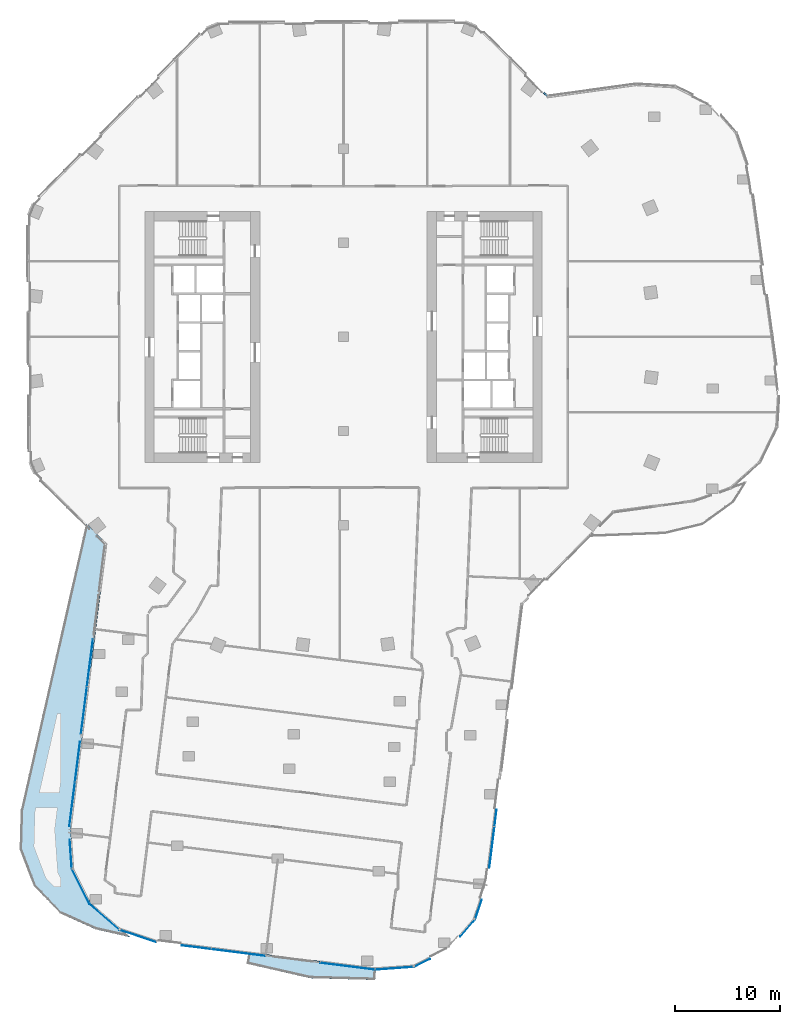
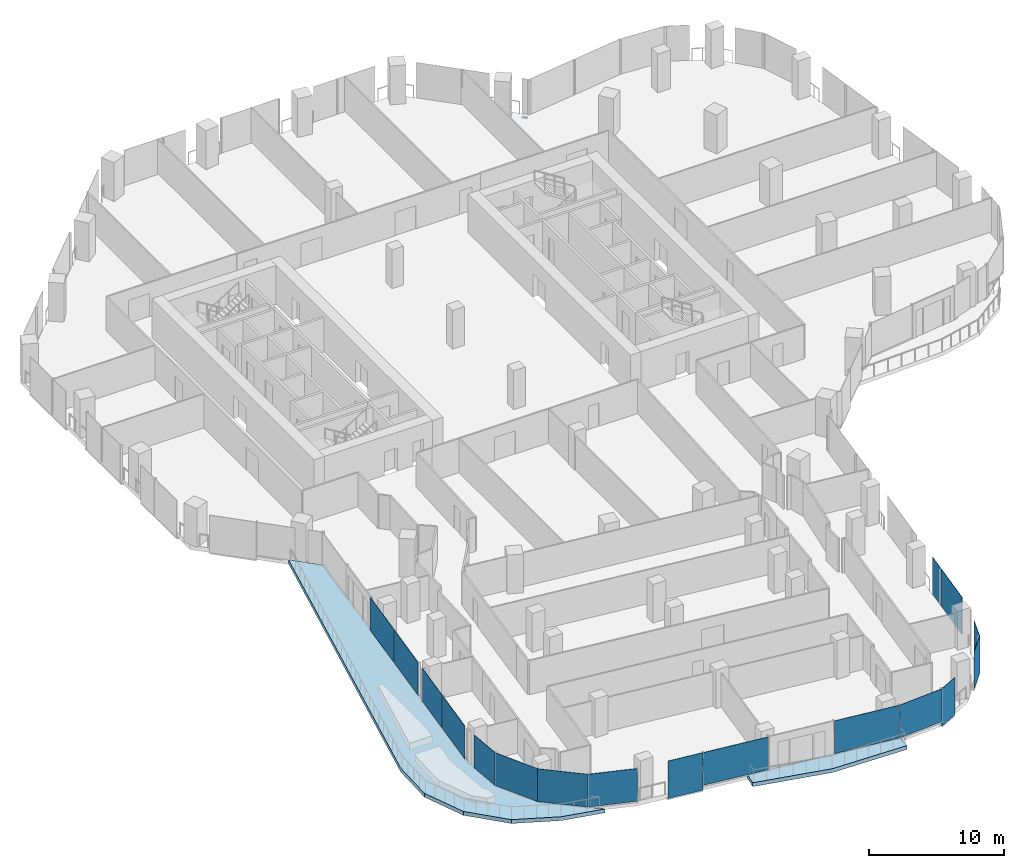
# One storey, part 13 of 29: 17 plates, 2 slabs, 1 member, 12 elements without a shape of their own.
"""IFC4 building model written with IfcOpenShell, lengths in metres."""

from ifc_helpers import new_model, si_unit, direction, frame, origin, origin_2d, place, context, subcontext, project, spatial, polyline, rectangle, outline, extrude, material, layer, layer_set, material_profile, profile_set, type_object, element, aggregate, save


model = new_model("IFC4")

# Units and contexts
model_context = context("Model", 3, precision=1e-05, world=origin(), true_north=direction((0.0, 1.0)))
body_context = subcontext(model_context, "Body", "Model", "MODEL_VIEW")
ifc_project = project(units=[si_unit("LENGTHUNIT", "METRE"), si_unit("AREAUNIT", "SQUARE_METRE"), si_unit("VOLUMEUNIT", "CUBIC_METRE"), si_unit("PLANEANGLEUNIT", "RADIAN"), si_unit("MASSUNIT", "GRAM", prefix="KILO")], contexts=[model_context])

# Site, building, storey
site_placement = place(None, origin())
site = spatial("IfcSite", under=ifc_project, at=site_placement, CompositionType="ELEMENT")
building_placement = place(site_placement, origin())
building = spatial("IfcBuilding", under=site, at=building_placement, Name="Orlundy Tower", CompositionType="ELEMENT")
storey_placement = place(building_placement, frame((0.0, 0.0, 188.60009765625)))
storey = spatial("IfcBuildingStorey", under=building, at=storey_placement, Name="L49", CompositionType="ELEMENT", Elevation=188.60009765625)

# Curtain wall, member
ifc_material_1 = material(Name="Aluminium bronze anodised", Category="aluminium")
curtain_wall_type = type_object("IfcCurtainWallType", Name="CW1 wall", PredefinedType="NOTDEFINED", material=ifc_material_1)
curtain_wall_1_placement = place(storey_placement, origin())
curtain_wall_1 = element("IfcCurtainWall", 1, at=curtain_wall_1_placement, inside=storey, type_object=curtain_wall_type, Name="CW1 run 05", PredefinedType="NOTDEFINED")
ifc_material_2 = material(Name="Aluminium bronze anodised", Category="aluminium")
ifc_material_profile = material_profile(ifc_material_2, rectangle(XDim=0.179931640625, YDim=0.1201171875, at=origin_2d()), Name="CW1 transom 180x120")
ifc_profile_set = profile_set([ifc_material_profile], Name="Aluminium bronze anodised")
member_type = type_object("IfcMemberType", Name="CW1 transom 180x120", PredefinedType="USERDEFINED", material=ifc_profile_set)
member_placement = place(storey_placement, frame((19.154296875, 23.3759765625, -0.360107421875), z_axis=(0.711057741215, -0.703133620771, 0.0), x_axis=(0.703133620771, 0.711057741215, 0.0)))
member = element("IfcMember", 2, at=member_placement, type_object=member_type, Name="CW1 transom", ObjectType="TRANSOM", PredefinedType="USERDEFINED", context=body_context, shape_type="SweptSolid", body=[
    extrude(rectangle(XDim=0.179931640625, YDim=0.1201171875, at=origin_2d()), origin(), (0.0, 0.0, 1.0), 0.462158203125),
])
aggregate(curtain_wall_1, [member])

# Curtain wall, plates
curtain_wall_2_placement = place(storey_placement, origin())
curtain_wall_2 = element("IfcCurtainWall", 3, at=curtain_wall_2_placement, inside=storey, type_object=curtain_wall_type, Name="CW1 run 00", PredefinedType="NOTDEFINED")
ifc_material_3 = material(Name="Tinted glass", Category="glass")
ifc_layer_1 = layer(ifc_material_3, 0.031982421875)
ifc_layer_set_1 = layer_set([ifc_layer_1], Name="CW1 glass panel 32")
plate_type = type_object("IfcPlateType", Name="CW1 glass panel 32", PredefinedType="CURTAIN_PANEL", material=ifc_layer_set_1)
plate_1_placement = place(storey_placement, frame((-25.94189453125, -44.684814453125, 0.119873046875), z_axis=(0.0, 0.0, 1.0), x_axis=(0.124763360518, 0.992186526754, 0.0)))
plate_1 = element("IfcPlate", 4, at=plate_1_placement, type_object=plate_type, Name="CW1 panel", PredefinedType="CURTAIN_PANEL", context=body_context, shape_type="SweptSolid", body=[
    extrude(rectangle(XDim=4.27197265625, YDim=0.031982421875, at=origin_2d()), origin(), (0.0, 0.0, 1.0), 2.9599609375),
])
plate_2_placement = place(storey_placement, frame((-25.4306640625, -40.618896484375, 0.119873046875), z_axis=(0.0, 0.0, 1.0), x_axis=(0.124763360518, 0.992186526754, 0.0)))
plate_2 = element("IfcPlate", 5, at=plate_2_placement, type_object=plate_type, Name="CW1 panel", PredefinedType="CURTAIN_PANEL", context=body_context, shape_type="SweptSolid", body=[
    extrude(rectangle(XDim=3.823974609375, YDim=0.031982421875, at=origin_2d()), origin(), (0.0, 0.0, 1.0), 2.9599609375),
])
plate_3_placement = place(storey_placement, frame((-24.8134765625, -35.71142578125, 0.119873046875), z_axis=(0.0, 0.0, 1.0), x_axis=(0.124763360518, 0.992186526754, 0.0)))
plate_3 = element("IfcPlate", 6, at=plate_3_placement, type_object=plate_type, Name="CW1 panel", PredefinedType="CURTAIN_PANEL", context=body_context, shape_type="SweptSolid", body=[
    extrude(rectangle(XDim=4.53857421875, YDim=0.031982421875, at=origin_2d()), origin(), (0.0, 0.0, 1.0), 2.9599609375),
])
plate_4_placement = place(storey_placement, frame((-24.240966796875, -31.15869140625, 0.119873046875), z_axis=(0.0, 0.0, 1.0), x_axis=(0.124763360518, 0.992186526754, 0.0)))
plate_4 = element("IfcPlate", 7, at=plate_4_placement, type_object=plate_type, Name="CW1 panel", PredefinedType="CURTAIN_PANEL", context=body_context, shape_type="SweptSolid", body=[
    extrude(rectangle(XDim=4.53857421875, YDim=0.031982421875, at=origin_2d()), origin(), (0.0, 0.0, 1.0), 2.9599609375),
])
aggregate(curtain_wall_2, [plate_1, plate_2, plate_3, plate_4])

curtain_wall_3_placement = place(storey_placement, origin())
curtain_wall_3 = element("IfcCurtainWall", 8, at=curtain_wall_3_placement, inside=storey, type_object=curtain_wall_type, Name="CW1 run 018", PredefinedType="NOTDEFINED")
plate_5_placement = place(storey_placement, frame((14.5380859375, -46.00439453125, -0.300048828125), z_axis=(0.0, 0.0, 1.0), x_axis=(-0.124742379758, -0.992189164773, 0.0)))
plate_5 = element("IfcPlate", 9, at=plate_5_placement, type_object=plate_type, Name="CW1 panel", PredefinedType="CURTAIN_PANEL", context=body_context, shape_type="SweptSolid", body=[
    extrude(rectangle(XDim=1.572998046875, YDim=0.031982421875, at=origin_2d()), origin(), (0.0, 0.0, 1.0), 3.3798828125),
])
plate_6_placement = place(storey_placement, frame((14.185791015625, -48.80712890625, -0.300048828125), z_axis=(0.0, 0.0, 1.0), x_axis=(-0.124742379758, -0.992189164773, 0.0)))
plate_6 = element("IfcPlate", 10, at=plate_6_placement, type_object=plate_type, Name="CW1 panel", PredefinedType="CURTAIN_PANEL", context=body_context, shape_type="SweptSolid", body=[
    extrude(rectangle(XDim=3.976318359375, YDim=0.031982421875, at=origin_2d()), origin(), (0.0, 0.0, 1.0), 3.3798828125),
])
aggregate(curtain_wall_3, [plate_5, plate_6])

# Curtain wall, plate
curtain_wall_4_placement = place(storey_placement, origin())
curtain_wall_4 = element("IfcCurtainWall", 11, at=curtain_wall_4_placement, inside=storey, type_object=curtain_wall_type, Name="CW1 run 019", PredefinedType="NOTDEFINED")
plate_7_placement = place(storey_placement, frame((12.895751953125, -54.756103515625, -0.300048828125), z_axis=(0.0, 0.0, 1.0), x_axis=(-0.315904020179, -0.948791151958, 0.0)))
plate_7 = element("IfcPlate", 12, at=plate_7_placement, type_object=plate_type, Name="CW1 panel", PredefinedType="CURTAIN_PANEL", context=body_context, shape_type="SweptSolid", body=[
    extrude(rectangle(XDim=1.997802734375, YDim=0.031982421875, at=origin_2d()), origin(), (0.0, 0.0, 1.0), 3.3798828125),
])
aggregate(curtain_wall_4, [plate_7])

curtain_wall_5_placement = place(storey_placement, origin())
curtain_wall_5 = element("IfcCurtainWall", 13, at=curtain_wall_5_placement, inside=storey, type_object=curtain_wall_type, Name="CW1 run 020", PredefinedType="NOTDEFINED")
plate_8_placement = place(storey_placement, frame((11.870849609375, -56.522216796875, -0.300048828125), z_axis=(0.0, 0.0, 1.0), x_axis=(-0.655002428568, -0.755626772005, 0.0)))
plate_8 = element("IfcPlate", 14, at=plate_8_placement, type_object=plate_type, Name="CW1 panel", PredefinedType="CURTAIN_PANEL", context=body_context, shape_type="SweptSolid", body=[
    extrude(rectangle(XDim=2.16650390625, YDim=0.031982421875, at=origin_2d()), origin(), (0.0, 0.0, 1.0), 3.3798828125),
])
aggregate(curtain_wall_5, [plate_8])

curtain_wall_6_placement = place(storey_placement, origin())
curtain_wall_6 = element("IfcCurtainWall", 15, at=curtain_wall_6_placement, inside=storey, type_object=curtain_wall_type, Name="CW1 run 021", PredefinedType="NOTDEFINED")
plate_9_placement = place(storey_placement, frame((7.506591796875, -59.856689453125, -0.300048828125), z_axis=(0.0, 0.0, 1.0), x_axis=(-0.894265274448, -0.447537282153, 0.0)))
plate_9 = element("IfcPlate", 16, at=plate_9_placement, type_object=plate_type, Name="CW1 panel", PredefinedType="CURTAIN_PANEL", context=body_context, shape_type="SweptSolid", body=[
    extrude(rectangle(XDim=1.72265625, YDim=0.031982421875, at=origin_2d()), origin(), (0.0, 0.0, 1.0), 3.3798828125),
])
aggregate(curtain_wall_6, [plate_9])

curtain_wall_7_placement = place(storey_placement, origin())
curtain_wall_7 = element("IfcCurtainWall", 17, at=curtain_wall_7_placement, inside=storey, type_object=curtain_wall_type, Name="CW1 run 022", PredefinedType="NOTDEFINED")
plate_10_placement = place(storey_placement, frame((4.8759765625, -60.375, 0.119873046875), z_axis=(0.0, 0.0, 1.0), x_axis=(-0.997460069203, -0.071227876188, 0.0)))
plate_10 = element("IfcPlate", 18, at=plate_10_placement, type_object=plate_type, Name="CW1 panel", PredefinedType="CURTAIN_PANEL", context=body_context, shape_type="SweptSolid", body=[
    extrude(rectangle(XDim=3.72998046875, YDim=0.031982421875, at=origin_2d()), origin(), (0.0, 0.0, 1.0), 2.9599609375),
])
aggregate(curtain_wall_7, [plate_10])

# Curtain wall, plates
curtain_wall_8_placement = place(storey_placement, origin())
curtain_wall_8 = element("IfcCurtainWall", 19, at=curtain_wall_8_placement, inside=storey, type_object=curtain_wall_type, Name="CW1 run 023", PredefinedType="NOTDEFINED")
plate_11_placement = place(storey_placement, frame((0.3779296875, -60.18115234375, 0.119873046875), z_axis=(0.0, 0.0, 1.0), x_axis=(-0.992186768434, 0.12476143853, 0.0)))
plate_11 = element("IfcPlate", 20, at=plate_11_placement, type_object=plate_type, Name="CW1 panel", PredefinedType="CURTAIN_PANEL", context=body_context, shape_type="SweptSolid", body=[
    extrude(rectangle(XDim=5.216064453125, YDim=0.031982421875, at=origin_2d()), origin(), (0.0, 0.0, 1.0), 2.9599609375),
])
plate_12_placement = place(storey_placement, frame((-10.0478515625, -58.8701171875, 0.119873046875), z_axis=(0.0, 0.0, 1.0), x_axis=(-0.992186768434, 0.12476143853, 0.0)))
plate_12 = element("IfcPlate", 21, at=plate_12_placement, type_object=plate_type, Name="CW1 panel", PredefinedType="CURTAIN_PANEL", context=body_context, shape_type="SweptSolid", body=[
    extrude(rectangle(XDim=5.199951171875, YDim=0.031982421875, at=origin_2d()), origin(), (0.0, 0.0, 1.0), 2.9599609375),
])
plate_13_placement = place(storey_placement, frame((-14.065673828125, -58.364990234375, -0.300048828125), z_axis=(0.0, 0.0, 1.0), x_axis=(-0.992186768434, 0.12476143853, 0.0)))
plate_13 = element("IfcPlate", 22, at=plate_13_placement, type_object=plate_type, Name="CW1 panel", PredefinedType="CURTAIN_PANEL", context=body_context, shape_type="SweptSolid", body=[
    extrude(rectangle(XDim=2.798828125, YDim=0.031982421875, at=origin_2d()), origin(), (0.0, 0.0, 1.0), 3.3798828125),
])
aggregate(curtain_wall_8, [plate_11, plate_12, plate_13])

# Curtain wall, plate
curtain_wall_9_placement = place(storey_placement, origin())
curtain_wall_9 = element("IfcCurtainWall", 23, at=curtain_wall_9_placement, inside=storey, type_object=curtain_wall_type, Name="CW1 run 024", PredefinedType="NOTDEFINED")
plate_14_placement = place(storey_placement, frame((-19.671142578125, -57.28857421875, 0.119873046875), z_axis=(0.0, 0.0, 1.0), x_axis=(-0.948791151958, 0.315904020179, 0.0)))
plate_14 = element("IfcPlate", 24, at=plate_14_placement, type_object=plate_type, Name="CW1 panel", PredefinedType="CURTAIN_PANEL", context=body_context, shape_type="SweptSolid", body=[
    extrude(rectangle(XDim=3.73046875, YDim=0.031982421875, at=origin_2d()), origin(), (0.0, 0.0, 1.0), 2.9599609375),
])
aggregate(curtain_wall_9, [plate_14])

curtain_wall_10_placement = place(storey_placement, origin())
curtain_wall_10 = element("IfcCurtainWall", 25, at=curtain_wall_10_placement, inside=storey, type_object=curtain_wall_type, Name="CW1 run 025", PredefinedType="NOTDEFINED")
plate_15_placement = place(storey_placement, frame((-22.865966796875, -55.4638671875, 0.119873046875), z_axis=(0.0, 0.0, 1.0), x_axis=(-0.755626772005, 0.655002428568, 0.0)))
plate_15 = element("IfcPlate", 26, at=plate_15_placement, type_object=plate_type, Name="CW1 panel", PredefinedType="CURTAIN_PANEL", context=body_context, shape_type="SweptSolid", body=[
    extrude(rectangle(XDim=3.77197265625, YDim=0.031982421875, at=origin_2d()), origin(), (0.0, 0.0, 1.0), 2.9599609375),
])
aggregate(curtain_wall_10, [plate_15])

curtain_wall_11_placement = place(storey_placement, origin())
curtain_wall_11 = element("IfcCurtainWall", 27, at=curtain_wall_11_placement, inside=storey, type_object=curtain_wall_type, Name="CW1 run 026", PredefinedType="NOTDEFINED")
plate_16_placement = place(storey_placement, frame((-25.13525390625, -52.54248046875, 0.119873046875), z_axis=(0.0, 0.0, 1.0), x_axis=(-0.447645268798, 0.894211224109, 0.0)))
plate_16 = element("IfcPlate", 28, at=plate_16_placement, type_object=plate_type, Name="CW1 panel", PredefinedType="CURTAIN_PANEL", context=body_context, shape_type="SweptSolid", body=[
    extrude(rectangle(XDim=3.771240234375, YDim=0.031982421875, at=origin_2d()), origin(), (0.0, 0.0, 1.0), 2.9599609375),
])
aggregate(curtain_wall_11, [plate_16])

curtain_wall_12_placement = place(storey_placement, origin())
curtain_wall_12 = element("IfcCurtainWall", 29, at=curtain_wall_12_placement, inside=storey, type_object=curtain_wall_type, Name="CW1 run 027", PredefinedType="NOTDEFINED")
plate_17_placement = place(storey_placement, frame((-26.077392578125, -49.480224609375, 0.119873046875), z_axis=(0.0, 0.0, 1.0), x_axis=(-0.071208712685, 0.997461437469, 0.0)))
plate_17 = element("IfcPlate", 30, at=plate_17_placement, type_object=plate_type, Name="CW1 panel", PredefinedType="CURTAIN_PANEL", context=body_context, shape_type="SweptSolid", body=[
    extrude(rectangle(XDim=2.75927734375, YDim=0.031982421875, at=origin_2d()), origin(), (0.0, 0.0, 1.0), 2.9599609375),
])
aggregate(curtain_wall_12, [plate_17])

# Slabs
ifc_material_4 = material(Name="Concrete C45/55", Category="concrete")
ifc_layer_2 = layer(ifc_material_4, 0.35009765625)
ifc_layer_set_2 = layer_set([ifc_layer_2], Name="TERRACE SLAB 350 C45/55")
slab_type = type_object("IfcSlabType", Name="TERRACE SLAB 350 C45/55", PredefinedType="ROOF", material=ifc_layer_set_2)
slab_1_placement = place(storey_placement, frame((0.0, 0.0, -0.35009765625)))
element("IfcSlab", 31, at=slab_1_placement, inside=storey, type_object=slab_type, Name="Terrace slab L49-2", PredefinedType="ROOF", context=body_context, shape_type="SweptSolid", body=[
    extrude(outline(polyline([(-9.241943359375, -59.945068359375), (-9.0458984375, -58.83203125), (3.115966796875, -60.35888671875), (3.030029296875, -61.491943359375), (-3.198974609375, -61.321044921875), (-9.241943359375, -59.945068359375)])), origin(), (0.0, 0.0, 1.0), 0.35009765625),
])
slab_2_placement = place(storey_placement, frame((0.0, 0.0, -0.35009765625)))
element("IfcSlab", 32, at=slab_2_placement, inside=storey, type_object=slab_type, Name="Terrace slab L49-3", PredefinedType="ROOF", context=body_context, shape_type="SweptSolid", body=[
    extrude(outline(polyline([(-24.5859375, -17.881103515625), (-22.64697265625, -19.7958984375), (-26.08203125, -47.114013671875), (-25.818115234375, -50.81201171875), (-24.158935546875, -54.1259765625), (-20.3759765625, -57.404052734375), (-23.675048828125, -56.656982421875), (-27.06005859375, -55.14404296875), (-29.60693359375, -52.450927734375), (-30.930908203125, -48.989013671875), (-30.827880859375, -45.283935546875), (-24.5859375, -17.881103515625)])), origin(), (0.0, 0.0, 1.0), 0.35009765625),
])

save(model, "model.ifc")
